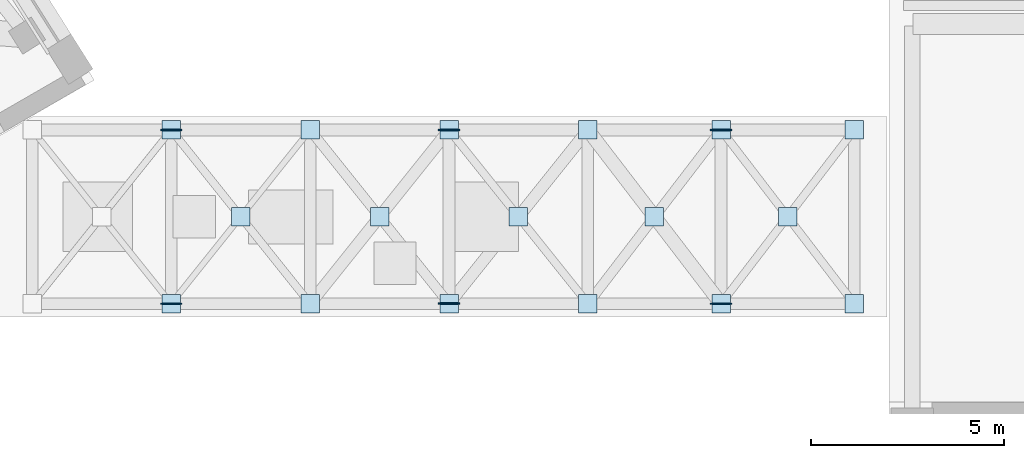
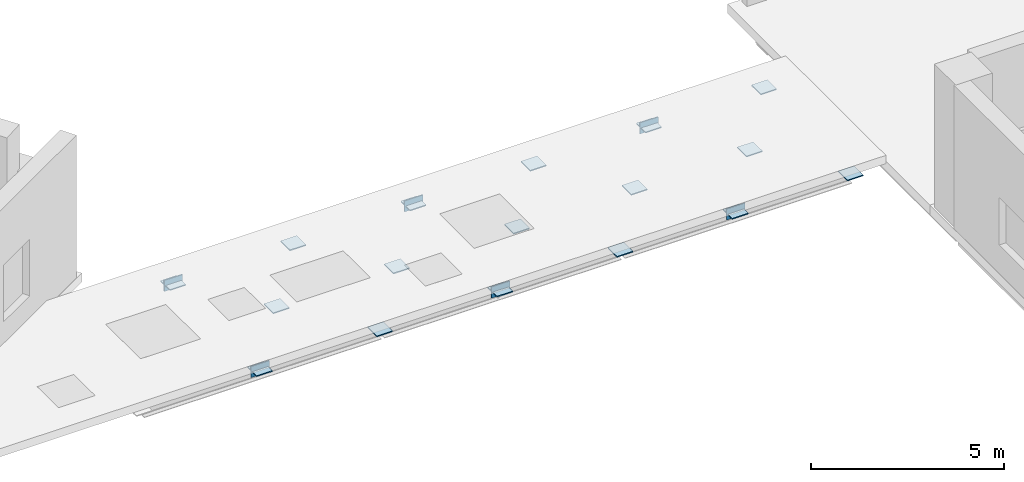
# One storey, part 31 of 49: 23 plates.
"""IFC4 building model written with IfcOpenShell, lengths in metres."""

from ifc_helpers import new_model, si_unit, direction, frame, origin, origin_2d, place, context, subcontext, project, spatial, rectangle, extrude, material, layer, layer_set, type_object, element, save


model = new_model("IFC4")

# Units and contexts
model_context = context("Model", 3, precision=1e-05, world=origin(), true_north=direction((0.0, 1.0)))
body_context = subcontext(model_context, "Body", "Model", "MODEL_VIEW")
ifc_project = project(units=[si_unit("LENGTHUNIT", "METRE"), si_unit("AREAUNIT", "SQUARE_METRE"), si_unit("VOLUMEUNIT", "CUBIC_METRE"), si_unit("PLANEANGLEUNIT", "RADIAN"), si_unit("MASSUNIT", "GRAM", prefix="KILO")], contexts=[model_context])

# Site, building, storey
site_placement = place(None, origin())
site = spatial("IfcSite", under=ifc_project, at=site_placement, CompositionType="ELEMENT")
building_placement = place(site_placement, origin())
building = spatial("IfcBuilding", under=site, at=building_placement, Name="Soyqirgoq Riverine Aquarium", CompositionType="ELEMENT")
storey_placement = place(building_placement, frame((0.0, 0.0, 15.0)))
storey = spatial("IfcBuildingStorey", under=building, at=storey_placement, Name="L04", CompositionType="ELEMENT", Elevation=15.0)

# Plates
ifc_material_1 = material(Name="Structural steel S355", Category="steel")
ifc_layer_1 = layer(ifc_material_1, 0.028076171875)
ifc_layer_set_1 = layer_set([ifc_layer_1], Name="Structural steel S355")
plate_type_1 = type_object("IfcPlateType", Name="NodeGussetPlate_28_S355", PredefinedType="SHEET", material=ifc_layer_set_1)
for number, where, z_axis, x_axis, name in (
    (1, (117.64990234375, 77.550048828125, -0.39501953125), (0.0, 0.0, 1.0), (1.0, 0.0, 0.0), "BR-2 Truss Node Gusset Plate 029"),
    (2, (117.64990234375, 82.050048828125, -0.39501953125), (0.0, 0.0, 1.0), (1.0, 0.0, 0.0), "BR-2 Truss Node Gusset Plate 032"),
):
    element("IfcPlate", number, at=place(storey_placement, frame(where, z_axis=z_axis, x_axis=x_axis)), inside=storey, type_object=plate_type_1, Name=name, PredefinedType="SHEET", context=body_context, shape_type="SweptSolid", body=[
        extrude(rectangle(XDim=0.550048828125, YDim=0.028076171875, at=origin_2d()), origin(), (0.0, 0.0, 1.0), 0.35009765625),
    ])
ifc_material_2 = material(Name="Structural steel S355", Category="steel")
ifc_layer_2 = layer(ifc_material_2, 0.031982421875)
ifc_layer_set_2 = layer_set([ifc_layer_2], Name="Structural steel S355")
plate_type_2 = type_object("IfcPlateType", Name="NodeGussetPlate_32_S355", PredefinedType="SHEET", material=ifc_layer_set_2)
for number, where, z_axis, x_axis, name in (
    (3, (103.39990234375, 77.550048828125, -0.39501953125), (0.0, 0.0, 1.0), (1.0, 0.0, 0.0), "BR-2 Truss Node Gusset Plate 027"),
    (4, (103.39990234375, 82.050048828125, -0.39501953125), (0.0, 0.0, 1.0), (1.0, 0.0, 0.0), "BR-2 Truss Node Gusset Plate 030"),
):
    element("IfcPlate", number, at=place(storey_placement, frame(where, z_axis=z_axis, x_axis=x_axis)), inside=storey, type_object=plate_type_2, Name=name, PredefinedType="SHEET", context=body_context, shape_type="SweptSolid", body=[
        extrude(rectangle(XDim=0.550048828125, YDim=0.031982421875, at=origin_2d()), origin(), (0.0, 0.0, 1.0), 0.35009765625),
    ])
for number, where, z_axis, x_axis, name in (
    (5, (103.39990234375, 82.050048828125, -0.24609375), (0.0, 0.0, 1.0), (1.0, 0.0, 0.0), "BR-2 Brace End Gusset Plate NE 035"),
    (6, (103.39990234375, 77.550048828125, -0.24609375), (0.0, 0.0, 1.0), (1.0, 0.0, 0.0), "BR-2 Brace End Gusset Plate SE 037"),
    (7, (105.199951171875, 79.800048828125, -0.24609375), (0.0, 0.0, 1.0), (1.0, 0.0, 0.0), "BR-2 X-Brace Crossing Gusset Plate 038"),
    (8, (107.0, 82.050048828125, -0.24609375), (0.0, 0.0, 1.0), (1.0, 0.0, 0.0), "BR-2 Brace End Gusset Plate NE 039"),
    (9, (107.0, 77.550048828125, -0.24609375), (0.0, 0.0, 1.0), (1.0, 0.0, 0.0), "BR-2 Brace End Gusset Plate SE 040"),
    (10, (108.800048828125, 79.800048828125, -0.24609375), (0.0, 0.0, 1.0), (1.0, 0.0, 0.0), "BR-2 X-Brace Crossing Gusset Plate 041"),
    (11, (110.60009765625, 82.050048828125, -0.24609375), (0.0, 0.0, 1.0), (1.0, 0.0, 0.0), "BR-2 Brace End Gusset Plate NE 042"),
    (12, (110.60009765625, 77.550048828125, -0.24609375), (0.0, 0.0, 1.0), (1.0, 0.0, 0.0), "BR-2 Brace End Gusset Plate SE 043"),
    (13, (112.39990234375, 79.800048828125, -0.24609375), (0.0, 0.0, 1.0), (1.0, 0.0, 0.0), "BR-2 X-Brace Crossing Gusset Plate 044"),
    (14, (114.199951171875, 82.050048828125, -0.24609375), (0.0, 0.0, 1.0), (1.0, 0.0, 0.0), "BR-2 Brace End Gusset Plate NE 045"),
    (15, (114.199951171875, 77.550048828125, -0.24609375), (0.0, 0.0, 1.0), (1.0, 0.0, 0.0), "BR-2 Brace End Gusset Plate SE 046"),
    (16, (115.925048828125, 79.800048828125, -0.24609375), (0.0, 0.0, 1.0), (1.0, 0.0, 0.0), "BR-2 X-Brace Crossing Gusset Plate 047"),
    (17, (117.64990234375, 82.050048828125, -0.24609375), (0.0, 0.0, 1.0), (1.0, 0.0, 0.0), "BR-2 Brace End Gusset Plate NE 048"),
    (18, (117.64990234375, 77.550048828125, -0.24609375), (0.0, 0.0, 1.0), (1.0, 0.0, 0.0), "BR-2 Brace End Gusset Plate SE 049"),
    (19, (119.375, 79.800048828125, -0.24609375), (0.0, 0.0, 1.0), (1.0, 0.0, 0.0), "BR-2 X-Brace Crossing Gusset Plate 050"),
    (20, (121.10009765625, 82.050048828125, -0.24609375), (0.0, 0.0, 1.0), (1.0, 0.0, 0.0), "BR-2 Brace End Gusset Plate NE 051"),
    (21, (121.10009765625, 77.550048828125, -0.24609375), (0.0, 0.0, 1.0), (1.0, 0.0, 0.0), "BR-2 Brace End Gusset Plate SE 052"),
):
    element("IfcPlate", number, at=place(storey_placement, frame(where, z_axis=z_axis, x_axis=x_axis)), inside=storey, type_object=plate_type_2, Name=name, PredefinedType="SHEET", context=body_context, shape_type="SweptSolid", body=[
        extrude(rectangle(XDim=0.47998046875, YDim=0.47998046875, at=origin_2d()), origin(), (0.0, 0.0, 1.0), 0.031982421875),
    ])
ifc_material_3 = material(Name="Structural steel S355", Category="steel")
ifc_layer_3 = layer(ifc_material_3, 0.035888671875)
ifc_layer_set_3 = layer_set([ifc_layer_3], Name="Structural steel S355")
plate_type_3 = type_object("IfcPlateType", Name="NodeGussetPlate_36_S355", PredefinedType="SHEET", material=ifc_layer_set_3)
for number, where, z_axis, x_axis, name in (
    (22, (110.60009765625, 77.550048828125, -0.39501953125), (0.0, 0.0, 1.0), (1.0, 0.0, 0.0), "BR-2 Truss Node Gusset Plate 028"),
    (23, (110.60009765625, 82.050048828125, -0.39501953125), (0.0, 0.0, 1.0), (1.0, 0.0, 0.0), "BR-2 Truss Node Gusset Plate 031"),
):
    element("IfcPlate", number, at=place(storey_placement, frame(where, z_axis=z_axis, x_axis=x_axis)), inside=storey, type_object=plate_type_3, Name=name, PredefinedType="SHEET", context=body_context, shape_type="SweptSolid", body=[
        extrude(rectangle(XDim=0.550048828125, YDim=0.035888671875, at=origin_2d()), origin(), (0.0, 0.0, 1.0), 0.35009765625),
    ])

save(model, "model.ifc")
